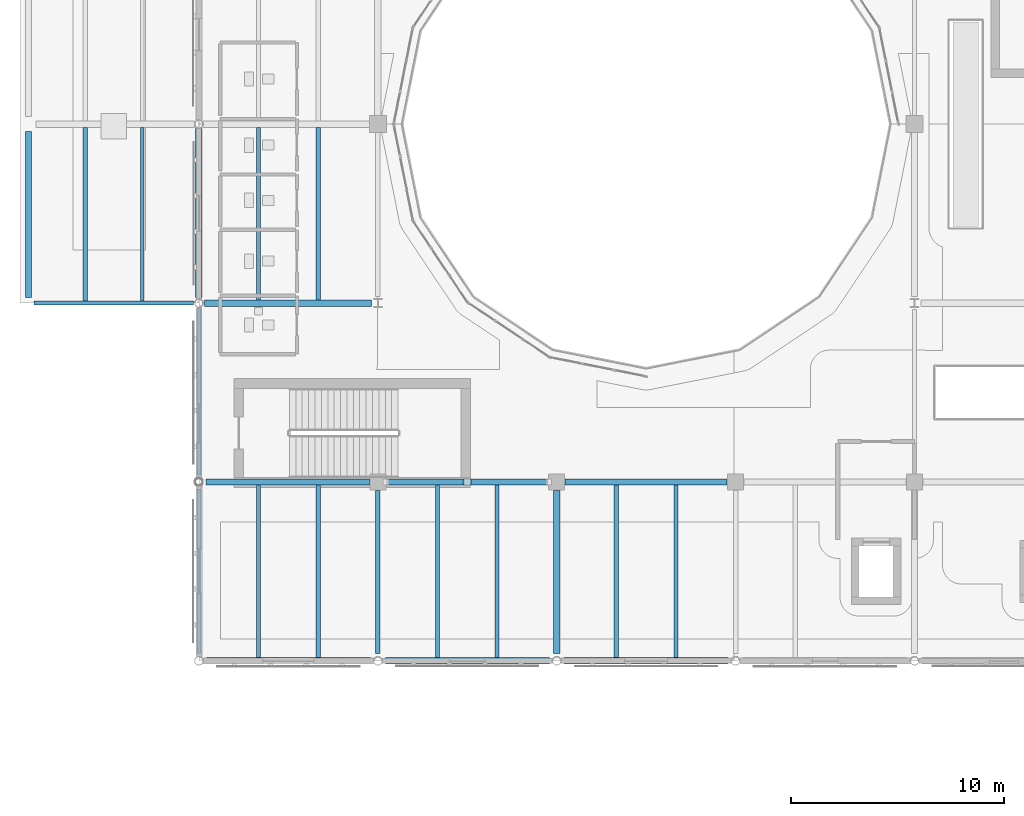
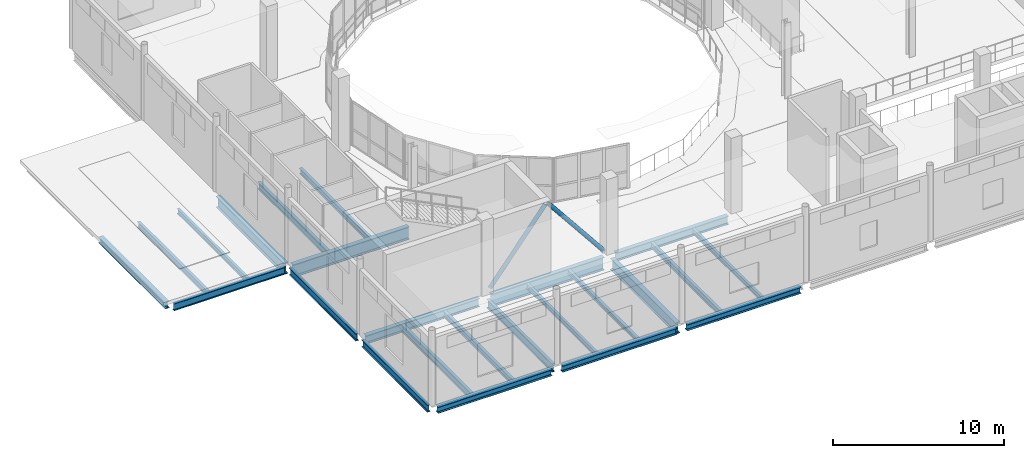
# One storey, part 15 of 110: 24 beams, 2 members.
"""IFC4 building model written with IfcOpenShell, lengths in metres."""

from ifc_helpers import new_model, si_unit, direction, frame, origin, origin_2d, place, context, subcontext, project, spatial, hollow_circle, i_section, extrude, material, material_profile, profile_set, type_object, element, save


model = new_model("IFC4")

# Units and contexts
model_context = context("Model", 3, precision=1e-05, world=origin(), true_north=direction((0.0, 1.0)))
body_context = subcontext(model_context, "Body", "Model", "MODEL_VIEW")
ifc_project = project(units=[si_unit("LENGTHUNIT", "METRE"), si_unit("AREAUNIT", "SQUARE_METRE"), si_unit("VOLUMEUNIT", "CUBIC_METRE"), si_unit("PLANEANGLEUNIT", "RADIAN"), si_unit("MASSUNIT", "GRAM", prefix="KILO"), si_unit("THERMODYNAMICTEMPERATUREUNIT", "KELVIN")], contexts=[model_context])

# Site, building, storey
site_placement = place(None, origin())
site = spatial("IfcSite", under=ifc_project, at=site_placement, CompositionType="ELEMENT")
building_placement = place(site_placement, origin())
building = spatial("IfcBuilding", under=site, at=building_placement, Name="Lustrewick Department Store", CompositionType="ELEMENT")
storey_placement = place(building_placement, frame((0.0, 0.0, 6.0)))
storey = spatial("IfcBuildingStorey", under=building, at=storey_placement, Name="L02", CompositionType="ELEMENT", Elevation=6.0)

# Beams
ifc_material_1 = material(Name="Structural steel Q355B", Category="steel")
ifc_material_profile_1 = material_profile(ifc_material_1, i_section(OverallWidth=0.199951171875, OverallDepth=0.5, WebThickness=0.010009765625, FlangeThickness=0.01611328125, FilletRadius=0.01611328125, at=origin_2d()), Name="HN 500x200x10x16")
ifc_profile_set_1 = profile_set([ifc_material_profile_1], Name="Structural steel Q355B")
beam_type_1 = type_object("IfcBeamType", Name="B01", PredefinedType="JOIST", material=ifc_profile_set_1)
beam_1_placement = place(storey_placement, frame((11.199951171875, 42.14990234375, -0.5048828125), z_axis=(0.0, 1.0, 0.0), x_axis=(-1.0, 0.0, 0.0)))
element("IfcBeam", 1, at=beam_1_placement, inside=storey, type_object=beam_type_1, Name="L02 V1 Secondary Joist B01", PredefinedType="JOIST", context=body_context, shape_type="SweptSolid", body=[
    extrude(i_section(OverallWidth=0.199951171875, OverallDepth=0.5, WebThickness=0.010009765625, FlangeThickness=0.01611328125, FilletRadius=0.01611328125, at=origin_2d()), origin(), (0.0, 0.0, 1.0), 8.09912109375),
])
beam_2_placement = place(storey_placement, frame((11.199951171875, 58.950927734375, -0.5048828125), z_axis=(0.0, 1.0, 0.0), x_axis=(-1.0, 0.0, 0.0)))
element("IfcBeam", 2, at=beam_2_placement, inside=storey, type_object=beam_type_1, Name="L02 V1 Secondary Joist B01", PredefinedType="JOIST", context=body_context, shape_type="SweptSolid", body=[
    extrude(i_section(OverallWidth=0.199951171875, OverallDepth=0.5, WebThickness=0.010009765625, FlangeThickness=0.01611328125, FilletRadius=0.01611328125, at=origin_2d()), origin(), (0.0, 0.0, 1.0), 8.09814453125),
])
ifc_material_profile_2 = material_profile(ifc_material_1, i_section(OverallWidth=0.199951171875, OverallDepth=0.39990234375, WebThickness=0.008056640625, FlangeThickness=0.012939453125, FilletRadius=0.013916015625, at=origin_2d()), Name="HN 400x200x8x13")
ifc_profile_set_2 = profile_set([ifc_material_profile_2], Name="Structural steel Q355B")
beam_type_2 = type_object("IfcBeamType", Name="B05", PredefinedType="JOIST", material=ifc_profile_set_2)
for number, where, z_axis, x_axis, name in (
    (3, (14.0, 42.14990234375, -0.455078125), (0.0, 1.0, 0.0), (-1.0, 0.0, 0.0), "L02 V1 Secondary Joist B05"),
    (4, (28.0, 42.14990234375, -0.455078125), (0.0, 1.0, 0.0), (-1.0, 0.0, 0.0), "L02 V1 Secondary Joist B05"),
):
    element("IfcBeam", number, at=place(storey_placement, frame(where, z_axis=z_axis, x_axis=x_axis)), inside=storey, type_object=beam_type_2, Name=name, PredefinedType="JOIST", context=body_context, shape_type="SweptSolid", body=[
        extrude(i_section(OverallWidth=0.199951171875, OverallDepth=0.39990234375, WebThickness=0.008056640625, FlangeThickness=0.012939453125, FilletRadius=0.013916015625, at=origin_2d()), origin(), (0.0, 0.0, 1.0), 8.09912109375),
    ])
beam_3_placement = place(storey_placement, frame((14.0, 58.950927734375, -0.455078125), z_axis=(0.0, 1.0, 0.0), x_axis=(-1.0, 0.0, 0.0)))
element("IfcBeam", 5, at=beam_3_placement, inside=storey, type_object=beam_type_2, Name="L02 V1 Secondary Joist B05", PredefinedType="JOIST", context=body_context, shape_type="SweptSolid", body=[
    extrude(i_section(OverallWidth=0.199951171875, OverallDepth=0.39990234375, WebThickness=0.008056640625, FlangeThickness=0.012939453125, FilletRadius=0.013916015625, at=origin_2d()), origin(), (0.0, 0.0, 1.0), 8.09814453125),
])
ifc_material_profile_3 = material_profile(ifc_material_1, i_section(OverallWidth=0.198974609375, OverallDepth=0.39599609375, WebThickness=0.007080078125, FlangeThickness=0.010986328125, FilletRadius=0.013916015625, at=origin_2d()), Name="HN 396x199x7x11")
ifc_profile_set_3 = profile_set([ifc_material_profile_3], Name="Structural steel Q355B")
beam_type_3 = type_object("IfcBeamType", Name="B06", PredefinedType="JOIST", material=ifc_profile_set_3)
beam_4_placement = place(storey_placement, frame((3.066650390625, 58.900390625, -0.452880859375), z_axis=(0.0, 1.0, 0.0), x_axis=(-1.0, 0.0, 0.0)))
element("IfcBeam", 6, at=beam_4_placement, inside=storey, type_object=beam_type_3, Name="L02 V1 Secondary Joist B06", PredefinedType="JOIST", context=body_context, shape_type="SweptSolid", body=[
    extrude(i_section(OverallWidth=0.198974609375, OverallDepth=0.39599609375, WebThickness=0.007080078125, FlangeThickness=0.010986328125, FilletRadius=0.013916015625, at=origin_2d()), origin(), (0.0, 0.0, 1.0), 8.149658203125),
])
ifc_material_profile_4 = material_profile(ifc_material_1, i_section(OverallWidth=0.175048828125, OverallDepth=0.35009765625, WebThickness=0.007080078125, FlangeThickness=0.010986328125, FilletRadius=0.012939453125, at=origin_2d()), Name="HN 350x175x7x11")
ifc_profile_set_4 = profile_set([ifc_material_profile_4], Name="Structural steel Q355B")
beam_type_4 = type_object("IfcBeamType", Name="B09", PredefinedType="JOIST", material=ifc_profile_set_4)
beam_5_placement = place(storey_placement, frame((30.800048828125, 42.14990234375, -0.429931640625), z_axis=(0.0, 1.0, 0.0), x_axis=(-1.0, 0.0, 0.0)))
element("IfcBeam", 7, at=beam_5_placement, inside=storey, type_object=beam_type_4, Name="L02 V1 Secondary Joist B09", PredefinedType="JOIST", context=body_context, shape_type="SweptSolid", body=[
    extrude(i_section(OverallWidth=0.175048828125, OverallDepth=0.35009765625, WebThickness=0.007080078125, FlangeThickness=0.010986328125, FilletRadius=0.012939453125, at=origin_2d()), origin(), (0.0, 0.0, 1.0), 8.09912109375),
])
ifc_material_profile_5 = material_profile(ifc_material_1, i_section(OverallWidth=0.174072265625, OverallDepth=0.345947265625, WebThickness=0.006103515625, FlangeThickness=0.009033203125, FilletRadius=0.012939453125, at=origin_2d()), Name="HN 346x174x6x9")
ifc_profile_set_5 = profile_set([ifc_material_profile_5], Name="Structural steel Q355B")
beam_type_5 = type_object("IfcBeamType", Name="B10", PredefinedType="JOIST", material=ifc_profile_set_5)
beam_6_placement = place(storey_placement, frame((19.60009765625, 42.14990234375, -0.427978515625), z_axis=(0.0, 1.0, 0.0), x_axis=(-1.0, 0.0, 0.0)))
element("IfcBeam", 8, at=beam_6_placement, inside=storey, type_object=beam_type_5, Name="L02 V1 Secondary Joist B10", PredefinedType="JOIST", context=body_context, shape_type="SweptSolid", body=[
    extrude(i_section(OverallWidth=0.174072265625, OverallDepth=0.345947265625, WebThickness=0.006103515625, FlangeThickness=0.009033203125, FilletRadius=0.012939453125, at=origin_2d()), origin(), (0.0, 0.0, 1.0), 8.09912109375),
])
beam_7_placement = place(storey_placement, frame((5.7333984375, 58.900390625, -0.427978515625), z_axis=(0.0, 1.0, 0.0), x_axis=(-1.0, 0.0, 0.0)))
element("IfcBeam", 9, at=beam_7_placement, inside=storey, type_object=beam_type_5, Name="L02 V1 Secondary Joist B10", PredefinedType="JOIST", context=body_context, shape_type="SweptSolid", body=[
    extrude(i_section(OverallWidth=0.174072265625, OverallDepth=0.345947265625, WebThickness=0.006103515625, FlangeThickness=0.009033203125, FilletRadius=0.012939453125, at=origin_2d()), origin(), (0.0, 0.0, 1.0), 8.149658203125),
])
ifc_material_profile_6 = material_profile(ifc_material_1, i_section(OverallWidth=0.199951171875, OverallDepth=0.2939453125, WebThickness=0.008056640625, FlangeThickness=0.011962890625, FilletRadius=0.013916015625, at=origin_2d()), Name="HM 294x200x8x12")
ifc_profile_set_6 = profile_set([ifc_material_profile_6], Name="Structural steel Q355B")
beam_type_6 = type_object("IfcBeamType", Name="B13", PredefinedType="JOIST", material=ifc_profile_set_6)
beam_8_placement = place(storey_placement, frame((22.39990234375, 42.14990234375, -0.402099609375), z_axis=(0.0, 1.0, 0.0), x_axis=(-1.0, 0.0, 0.0)))
element("IfcBeam", 10, at=beam_8_placement, inside=storey, type_object=beam_type_6, Name="L02 V1 Secondary Joist B13", PredefinedType="JOIST", context=body_context, shape_type="SweptSolid", body=[
    extrude(i_section(OverallWidth=0.199951171875, OverallDepth=0.2939453125, WebThickness=0.008056640625, FlangeThickness=0.011962890625, FilletRadius=0.013916015625, at=origin_2d()), origin(), (0.0, 0.0, 1.0), 8.09912109375),
])

# Members
ifc_material_2 = material(Name="Structural steel Q355C", Category="steel")
ifc_material_profile_7 = material_profile(ifc_material_2, hollow_circle(Radius=0.136474609375, WallThickness=0.010009765625, at=origin_2d()), Name="CHS 273x10")
ifc_profile_set_7 = profile_set([ifc_material_profile_7], Name="Structural steel Q355C")
member_type = type_object("IfcMemberType", Name="BR03", PredefinedType="BRACE", material=ifc_profile_set_7)
for number, where, z_axis, x_axis, name in (
    (11, (17.175048828125, 50.39990234375, 0.14990234375), (0.625599718663, 0.0, 0.780144212315), (0.0, 1.0, 0.0), "L02 V1 Chevron Brace BR03"),
    (12, (24.824951171875, 50.39990234375, 0.14990234375), (-0.625599718663, 0.0, 0.780144212315), (0.0, -1.0, 0.0), "L02 V1 Chevron Brace BR03"),
):
    element("IfcMember", number, at=place(storey_placement, frame(where, z_axis=z_axis, x_axis=x_axis)), inside=storey, type_object=member_type, Name=name, PredefinedType="BRACE", context=body_context, shape_type="SweptSolid", body=[
        extrude(hollow_circle(Radius=0.136474609375, WallThickness=0.010009765625, at=origin_2d()), origin(), (0.0, 0.0, 1.0), 5.9541015625),
    ])

# Beams
ifc_material_profile_8 = material_profile(ifc_material_2, i_section(OverallWidth=0.302001953125, OverallDepth=0.912109375, WebThickness=0.01806640625, FlangeThickness=0.033935546875, FilletRadius=0.02392578125, at=origin_2d()), Name="HN 912x302x18x34")
ifc_profile_set_8 = profile_set([ifc_material_profile_8], Name="Structural steel Q355C")
beam_type_7 = type_object("IfcBeamType", Name="G01", PredefinedType="BEAM", material=ifc_profile_set_8)
beam_9_placement = place(storey_placement, frame((17.199951171875, 50.39990234375, -0.7109375), z_axis=(1.0, 0.0, 0.0), x_axis=(0.0, 1.0, 0.0)))
element("IfcBeam", 13, at=beam_9_placement, inside=storey, type_object=beam_type_7, Name="L02 V1 Girder G01", PredefinedType="BEAM", context=body_context, shape_type="SweptSolid", body=[
    extrude(i_section(OverallWidth=0.302001953125, OverallDepth=0.912109375, WebThickness=0.01806640625, FlangeThickness=0.033935546875, FilletRadius=0.02392578125, at=origin_2d()), origin(), (0.0, 0.0, 1.0), 7.60009765625),
])
beam_10_placement = place(storey_placement, frame((8.654052734375, 58.800048828125, -0.7109375), z_axis=(1.0, 0.0, 0.0), x_axis=(0.0, 1.0, 0.0)))
element("IfcBeam", 14, at=beam_10_placement, inside=storey, type_object=beam_type_7, Name="L02 V1 Girder G01", PredefinedType="BEAM", context=body_context, shape_type="SweptSolid", body=[
    extrude(i_section(OverallWidth=0.302001953125, OverallDepth=0.912109375, WebThickness=0.01806640625, FlangeThickness=0.033935546875, FilletRadius=0.02392578125, at=origin_2d()), origin(), (0.0, 0.0, 1.0), 7.845947265625),
])
ifc_material_profile_9 = material_profile(ifc_material_1, i_section(OverallWidth=0.300048828125, OverallDepth=0.7919921875, WebThickness=0.013916015625, FlangeThickness=0.02197265625, FilletRadius=0.02197265625, at=origin_2d()), Name="HN 792x300x14x22")
ifc_profile_set_9 = profile_set([ifc_material_profile_9], Name="Structural steel Q355B")
beam_type_8 = type_object("IfcBeamType", Name="G06", PredefinedType="BEAM", material=ifc_profile_set_9)
beam_11_placement = place(storey_placement, frame((8.39990234375, 59.053955078125, -0.65087890625), z_axis=(0.0, 1.0, 0.0), x_axis=(-1.0, 0.0, 0.0)))
element("IfcBeam", 15, at=beam_11_placement, inside=storey, type_object=beam_type_8, Name="L02 V1 Girder G06", PredefinedType="BEAM", context=body_context, shape_type="SweptSolid", body=[
    extrude(i_section(OverallWidth=0.300048828125, OverallDepth=0.7919921875, WebThickness=0.013916015625, FlangeThickness=0.02197265625, FilletRadius=0.02197265625, at=origin_2d()), origin(), (0.0, 0.0, 1.0), 7.946044921875),
])
beam_12_placement = place(storey_placement, frame((25.199951171875, 42.35009765625, -0.65087890625), z_axis=(0.0, 1.0, 0.0), x_axis=(-1.0, 0.0, 0.0)))
element("IfcBeam", 16, at=beam_12_placement, inside=storey, type_object=beam_type_8, Name="L02 V1 Girder G06", PredefinedType="BEAM", context=body_context, shape_type="SweptSolid", body=[
    extrude(i_section(OverallWidth=0.300048828125, OverallDepth=0.7919921875, WebThickness=0.013916015625, FlangeThickness=0.02197265625, FilletRadius=0.02197265625, at=origin_2d()), origin(), (0.0, 0.0, 1.0), 7.64990234375),
])
ifc_material_profile_10 = material_profile(ifc_material_1, i_section(OverallWidth=0.302001953125, OverallDepth=0.593994140625, WebThickness=0.013916015625, FlangeThickness=0.02294921875, FilletRadius=0.02392578125, at=origin_2d()), Name="HM 594x302x14x23")
ifc_profile_set_10 = profile_set([ifc_material_profile_10], Name="Structural steel Q355B")
beam_type_9 = type_object("IfcBeamType", Name="G10", PredefinedType="BEAM", material=ifc_profile_set_10)
beam_13_placement = place(storey_placement, frame((8.72509765625, 50.39990234375, -0.552001953125), z_axis=(1.0, 0.0, 0.0), x_axis=(0.0, 1.0, 0.0)))
element("IfcBeam", 17, at=beam_13_placement, inside=storey, type_object=beam_type_9, Name="L02 V1 Girder G10", PredefinedType="BEAM", context=body_context, shape_type="SweptSolid", body=[
    extrude(i_section(OverallWidth=0.302001953125, OverallDepth=0.593994140625, WebThickness=0.013916015625, FlangeThickness=0.02294921875, FilletRadius=0.02392578125, at=origin_2d()), origin(), (0.0, 0.0, 1.0), 7.6748046875),
])
beam_14_placement = place(storey_placement, frame((25.60009765625, 50.39990234375, -0.552001953125), z_axis=(1.0, 0.0, 0.0), x_axis=(0.0, 1.0, 0.0)))
element("IfcBeam", 18, at=beam_14_placement, inside=storey, type_object=beam_type_9, Name="L02 V1 Girder G10", PredefinedType="BEAM", context=body_context, shape_type="SweptSolid", body=[
    extrude(i_section(OverallWidth=0.302001953125, OverallDepth=0.593994140625, WebThickness=0.013916015625, FlangeThickness=0.02294921875, FilletRadius=0.02392578125, at=origin_2d()), origin(), (0.0, 0.0, 1.0), 7.599853515625),
])
ifc_material_profile_11 = material_profile(ifc_material_1, i_section(OverallWidth=0.198974609375, OverallDepth=0.595947265625, WebThickness=0.010009765625, FlangeThickness=0.014892578125, FilletRadius=0.01806640625, at=origin_2d()), Name="HN 596x199x10x15")
ifc_profile_set_11 = profile_set([ifc_material_profile_11], Name="Structural steel Q355B")
beam_type_10 = type_object("IfcBeamType", Name="G15", PredefinedType="BEAM", material=ifc_profile_set_11)
beam_15_placement = place(storey_placement, frame((16.800048828125, 42.35009765625, -0.552978515625), z_axis=(0.0, 1.0, 0.0), x_axis=(-1.0, 0.0, 0.0)))
element("IfcBeam", 19, at=beam_15_placement, inside=storey, type_object=beam_type_10, Name="L02 V1 Girder G15", PredefinedType="BEAM", context=body_context, shape_type="SweptSolid", body=[
    extrude(i_section(OverallWidth=0.198974609375, OverallDepth=0.595947265625, WebThickness=0.010009765625, FlangeThickness=0.014892578125, FilletRadius=0.01806640625, at=origin_2d()), origin(), (0.0, 0.0, 1.0), 7.64990234375),
])
ifc_material_profile_12 = material_profile(ifc_material_1, i_section(OverallWidth=0.200927734375, OverallDepth=0.506103515625, WebThickness=0.010986328125, FlangeThickness=0.01904296875, FilletRadius=0.01611328125, at=origin_2d()), Name="HN 506x201x11x19")
ifc_profile_set_12 = profile_set([ifc_material_profile_12], Name="Structural steel Q355B")
beam_type_11 = type_object("IfcBeamType", Name="SP01", PredefinedType="SPANDREL", material=ifc_profile_set_12)
beam_16_placement = place(storey_placement, frame((0.654052734375, 58.800048828125, -0.508056640625), z_axis=(1.0, 0.0, 0.0), x_axis=(0.0, 1.0, 0.0)))
element("IfcBeam", 20, at=beam_16_placement, inside=storey, type_object=beam_type_11, Name="L02 V1 Girder SP01", PredefinedType="SPANDREL", context=body_context, shape_type="SweptSolid", body=[
    extrude(i_section(OverallWidth=0.200927734375, OverallDepth=0.506103515625, WebThickness=0.010986328125, FlangeThickness=0.01904296875, FilletRadius=0.01611328125, at=origin_2d()), origin(), (0.0, 0.0, 1.0), 7.491943359375),
])
beam_17_placement = place(storey_placement, frame((8.39990234375, 42.35009765625, -0.508056640625), z_axis=(0.0, 1.0, 0.0), x_axis=(-1.0, 0.0, 0.0)))
element("IfcBeam", 21, at=beam_17_placement, inside=storey, type_object=beam_type_11, Name="L02 V1 Girder SP01", PredefinedType="SPANDREL", context=body_context, shape_type="SweptSolid", body=[
    extrude(i_section(OverallWidth=0.200927734375, OverallDepth=0.506103515625, WebThickness=0.010986328125, FlangeThickness=0.01904296875, FilletRadius=0.01611328125, at=origin_2d()), origin(), (0.0, 0.0, 1.0), 7.724853515625),
])
beam_18_placement = place(storey_placement, frame((8.39990234375, 50.72509765625, -0.508056640625), z_axis=(0.0, 1.0, 0.0), x_axis=(-1.0, 0.0, 0.0)))
element("IfcBeam", 22, at=beam_18_placement, inside=storey, type_object=beam_type_11, Name="L02 V1 Girder SP01", PredefinedType="SPANDREL", context=body_context, shape_type="SweptSolid", body=[
    extrude(i_section(OverallWidth=0.200927734375, OverallDepth=0.506103515625, WebThickness=0.010986328125, FlangeThickness=0.01904296875, FilletRadius=0.01611328125, at=origin_2d()), origin(), (0.0, 0.0, 1.0), 7.82080078125),
])
ifc_material_profile_13 = material_profile(ifc_material_1, i_section(OverallWidth=0.300048828125, OverallDepth=0.43994140625, WebThickness=0.010986328125, FlangeThickness=0.01806640625, FilletRadius=0.02001953125, at=origin_2d()), Name="HM 440x300x11x18")
ifc_profile_set_13 = profile_set([ifc_material_profile_13], Name="Structural steel Q355B")
beam_type_12 = type_object("IfcBeamType", Name="SP02", PredefinedType="SPANDREL", material=ifc_profile_set_13)
beam_19_placement = place(storey_placement, frame((8.75, 42.0, -0.47509765625), z_axis=(1.0, 0.0, 0.0), x_axis=(0.0, 1.0, 0.0)))
element("IfcBeam", 23, at=beam_19_placement, inside=storey, type_object=beam_type_12, Name="L02 V1 Girder SP02", PredefinedType="SPANDREL", context=body_context, shape_type="SweptSolid", body=[
    extrude(i_section(OverallWidth=0.300048828125, OverallDepth=0.43994140625, WebThickness=0.010986328125, FlangeThickness=0.01806640625, FilletRadius=0.02001953125, at=origin_2d()), origin(), (0.0, 0.0, 1.0), 7.699951171875),
])
beam_20_placement = place(storey_placement, frame((17.14990234375, 42.0, -0.47509765625), z_axis=(1.0, 0.0, 0.0), x_axis=(0.0, 1.0, 0.0)))
element("IfcBeam", 24, at=beam_20_placement, inside=storey, type_object=beam_type_12, Name="L02 V1 Girder SP02", PredefinedType="SPANDREL", context=body_context, shape_type="SweptSolid", body=[
    extrude(i_section(OverallWidth=0.300048828125, OverallDepth=0.43994140625, WebThickness=0.010986328125, FlangeThickness=0.01806640625, FilletRadius=0.02001953125, at=origin_2d()), origin(), (0.0, 0.0, 1.0), 7.7001953125),
])
beam_21_placement = place(storey_placement, frame((25.550048828125, 42.0, -0.47509765625), z_axis=(1.0, 0.0, 0.0), x_axis=(0.0, 1.0, 0.0)))
element("IfcBeam", 25, at=beam_21_placement, inside=storey, type_object=beam_type_12, Name="L02 V1 Girder SP02", PredefinedType="SPANDREL", context=body_context, shape_type="SweptSolid", body=[
    extrude(i_section(OverallWidth=0.300048828125, OverallDepth=0.43994140625, WebThickness=0.010986328125, FlangeThickness=0.01806640625, FilletRadius=0.02001953125, at=origin_2d()), origin(), (0.0, 0.0, 1.0), 7.699951171875),
])
beam_22_placement = place(storey_placement, frame((0.39990234375, 59.053955078125, -0.47509765625), z_axis=(0.0, 1.0, 0.0), x_axis=(-1.0, 0.0, 0.0)))
element("IfcBeam", 26, at=beam_22_placement, inside=storey, type_object=beam_type_12, Name="L02 V1 Girder SP02", PredefinedType="SPANDREL", context=body_context, shape_type="SweptSolid", body=[
    extrude(i_section(OverallWidth=0.300048828125, OverallDepth=0.43994140625, WebThickness=0.010986328125, FlangeThickness=0.01806640625, FilletRadius=0.02001953125, at=origin_2d()), origin(), (0.0, 0.0, 1.0), 7.796142578125),
])

save(model, "model.ifc")
